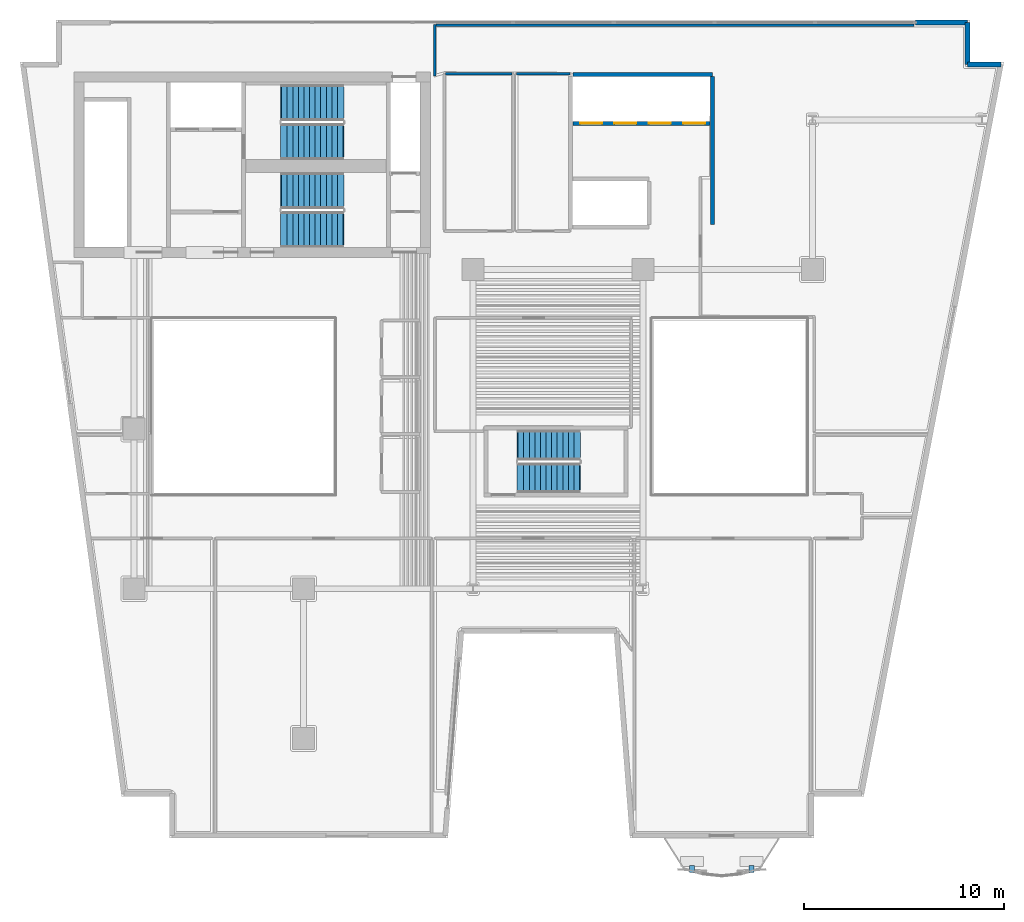
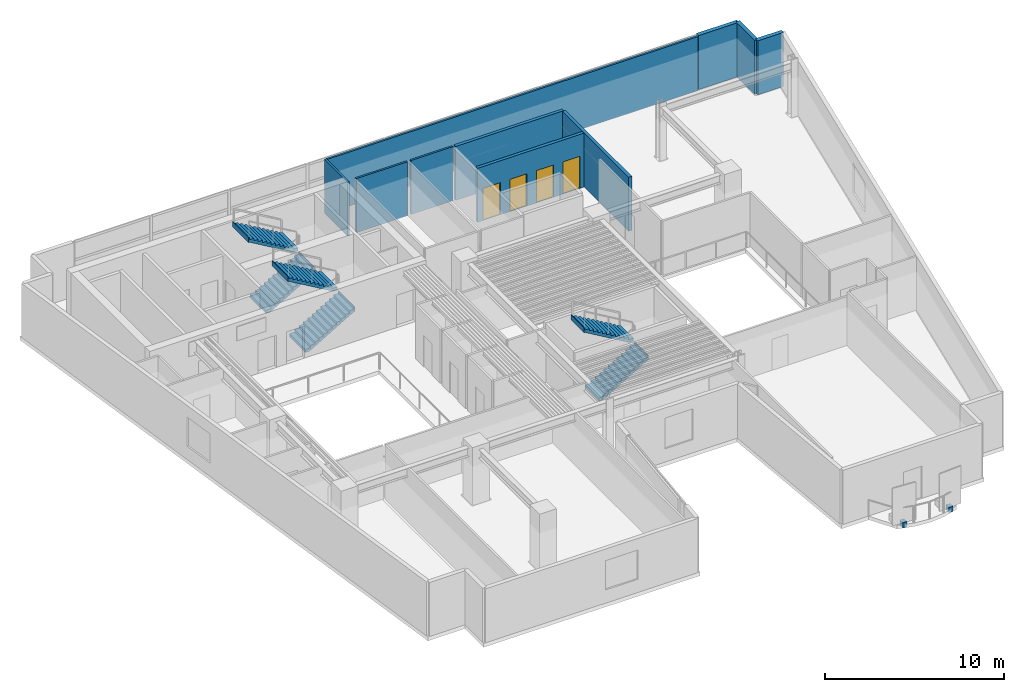
# One storey, part 8 of 13: 10 walls, 6 stair flights, 4 doors, 2 discrete accessories, 4 openings, 3 elements without a shape of their own.
"""IFC4 building model written with IfcOpenShell, lengths in metres."""

from ifc_helpers import new_model, si_unit, direction, frame, frame_2d, origin, origin_2d, place, context, subcontext, project, spatial, polyline, rectangle, outline, extrude, material, layer, layer_set, type_object, element, fill, aggregate, save


model = new_model("IFC4")

# Units and contexts
model_context = context("Model", 3, precision=1e-05, world=origin(), true_north=direction((0.0, 1.0)))
body_context = subcontext(model_context, "Body", "Model", "MODEL_VIEW")
ifc_project = project(units=[si_unit("LENGTHUNIT", "METRE"), si_unit("AREAUNIT", "SQUARE_METRE"), si_unit("VOLUMEUNIT", "CUBIC_METRE"), si_unit("PLANEANGLEUNIT", "RADIAN"), si_unit("MASSUNIT", "GRAM", prefix="KILO")], contexts=[model_context])

# Site, building, storey
site_placement = place(None, origin())
site = spatial("IfcSite", under=ifc_project, at=site_placement, CompositionType="ELEMENT")
building_placement = place(site_placement, origin())
building = spatial("IfcBuilding", under=site, at=building_placement, Name="Caeloran Harvest Quay", CompositionType="ELEMENT")
storey_placement = place(building_placement, frame((0.0, 0.0, 127.199951171875)))
storey = spatial("IfcBuildingStorey", under=building, at=storey_placement, Name="L29", CompositionType="ELEMENT", Elevation=127.199951171875)

# Walls
ifc_material_1 = material(Name="Precast concrete C50/60", Category="concrete")
ifc_layer_1 = layer(ifc_material_1, 0.260009765625, Name="Precast concrete C50/60")
ifc_layer_set_1 = layer_set([ifc_layer_1], Name="Precast concrete C50/60")
wall_type_1 = type_object("IfcWallType", Name="ENV-WALL-EW-260", PredefinedType="STANDARD", material=ifc_layer_set_1)
wall_1_placement = place(storey_placement, frame((47.669921875, 43.3701171875, 0.0), z_axis=(0.0, 0.0, 1.0), x_axis=(1.0, 0.0, 0.0)))
element("IfcWall", 1, at=wall_1_placement, inside=storey, type_object=wall_type_1, Name="L29 Exterior Facade Corner Pier Wall 6B", PredefinedType="STANDARD", context=body_context, shape_type="SweptSolid", body=[
    extrude(rectangle(XDim=2.60009765625, YDim=0.260009765625, at=frame_2d((1.300048828125, 0.0))), origin(), (0.0, 0.0, 1.0), 3.68994140625),
])
wall_2_placement = place(storey_placement, frame((50.27001953125, 43.3701171875, 0.0), z_axis=(0.0, 0.0, 1.0), x_axis=(0.0, -1.0, 0.0)))
element("IfcWall", 2, at=wall_2_placement, inside=storey, type_object=wall_type_1, Name="L29 Exterior Precast Concrete Facade Wall 7", PredefinedType="STANDARD", context=body_context, shape_type="SweptSolid", body=[
    extrude(rectangle(XDim=2.10009765625, YDim=0.260009765625, at=frame_2d((1.050048828125, 0.0))), origin(), (0.0, 0.0, 1.0), 3.68994140625),
])
wall_3_placement = place(storey_placement, frame((50.27001953125, 41.27001953125, 0.0), z_axis=(0.0, 0.0, 1.0), x_axis=(1.0, 0.0, 0.0)))
element("IfcWall", 3, at=wall_3_placement, inside=storey, type_object=wall_type_1, Name="L29 Exterior Precast Concrete Facade Wall 8", PredefinedType="STANDARD", context=body_context, shape_type="SweptSolid", body=[
    extrude(rectangle(XDim=1.671875, YDim=0.260009765625, at=frame_2d((0.8359375, 0.0))), origin(), (0.0, 0.0, 1.0), 3.68994140625),
])
ifc_material_2 = material(Name="Twin-Stud Mineral-Wool Acoustic Gypsum Partition", Category="gypsum")
ifc_layer_2 = layer(ifc_material_2, 0.125, Name="Twin-Stud Mineral-Wool Acoustic Gypsum Partition")
ifc_layer_set_2 = layer_set([ifc_layer_2], Name="Twin-Stud Mineral-Wool Acoustic Gypsum Partition")
wall_type_2 = type_object("IfcWallType", Name="INT-WALL-PW-125", PredefinedType="PARTITIONING", material=ifc_layer_set_2)
wall_4_placement = place(storey_placement, frame((24.117431640625, 40.800048828125, 0.0), z_axis=(0.0, 0.0, 1.0), x_axis=(1.0, 0.0, 0.0)))
element("IfcWall", 4, at=wall_4_placement, inside=storey, type_object=wall_type_2, Name="L29 Bioinformatics Briefing Lounge Partition Wall", PredefinedType="PARTITIONING", context=body_context, shape_type="SweptSolid", body=[
    extrude(rectangle(XDim=3.315185546875, YDim=0.125, at=frame_2d((1.65771484375, 0.0))), origin(), (0.0, 0.0, 1.0), 3.68994140625),
])
wall_5_placement = place(storey_placement, frame((27.659912109375, 40.800048828125, 0.0), z_axis=(0.0, 0.0, 1.0), x_axis=(1.0, 0.0, 0.0)))
element("IfcWall", 5, at=wall_5_placement, inside=storey, type_object=wall_type_2, Name="L29 Seed Imaging Laboratory Partition Wall", PredefinedType="PARTITIONING", context=body_context, shape_type="SweptSolid", body=[
    extrude(rectangle(XDim=2.690185546875, YDim=0.125, at=frame_2d((1.34521484375, 0.0))), origin(), (0.0, 0.0, 1.0), 3.68994140625),
])
wall_6_placement = place(storey_placement, frame((23.580078125, 40.693115234375, 0.0), z_axis=(0.0, 0.0, 1.0), x_axis=(0.0, 1.0, 0.0)))
element("IfcWall", 6, at=wall_6_placement, inside=storey, type_object=wall_type_2, Name="Controlled-Climate Simulation Lab 10 Partition Wall", PredefinedType="PARTITIONING", context=body_context, shape_type="SweptSolid", body=[
    extrude(rectangle(XDim=2.57177734375, YDim=0.125, at=frame_2d((1.285888671875, 0.0))), origin(), (0.0, 0.0, 1.0), 3.68994140625),
])
wall_7_placement = place(storey_placement, frame((23.6474609375, 43.239990234375, 0.0), z_axis=(0.0, 0.0, 1.0), x_axis=(1.0, 0.0, 0.0)))
element("IfcWall", 7, at=wall_7_placement, inside=storey, type_object=wall_type_2, Name="Controlled-Climate Simulation Lab 10 Partition Wall", PredefinedType="PARTITIONING", context=body_context, shape_type="SweptSolid", body=[
    extrude(rectangle(XDim=23.947998046875, YDim=0.125, at=frame_2d((11.97412109375, 0.0))), origin(), (0.0, 0.0, 1.0), 3.68994140625),
])
ifc_material_3 = material(Name="Concrete C50/60", Category="concrete")
ifc_layer_3 = layer(ifc_material_3, 0.199951171875, Name="Concrete C50/60")
ifc_layer_set_3 = layer_set([ifc_layer_3], Name="Concrete C50/60")
wall_type_3 = type_object("IfcWallType", Name="INT-WALL-SW-200", PredefinedType="PARTITIONING", material=ifc_layer_set_3)
wall_8_placement = place(storey_placement, frame((30.5, 40.780029296875, 0.0), z_axis=(0.0, 0.0, 1.0), x_axis=(1.0, 0.0, 0.0)))
element("IfcWall", 8, at=wall_8_placement, inside=storey, type_object=wall_type_3, Name="L29 Bank 2 Lift Shaft North Wall", PredefinedType="PARTITIONING", context=body_context, shape_type="SweptSolid", body=[
    extrude(rectangle(XDim=6.97998046875, YDim=0.199951171875, at=frame_2d((3.489990234375, 0.0))), origin(), (0.0, 0.0, 1.0), 3.68994140625),
])
wall_9_placement = place(storey_placement, frame((37.47998046875, 33.239990234375, 0.0), z_axis=(0.0, 0.0, 1.0), x_axis=(0.0, 1.0, 0.0)))
element("IfcWall", 9, at=wall_9_placement, inside=storey, type_object=wall_type_3, Name="L29 Bank 2 Lift Shaft East Wall", PredefinedType="PARTITIONING", context=body_context, shape_type="SweptSolid", body=[
    extrude(rectangle(XDim=7.419921875, YDim=0.199951171875, at=frame_2d((3.7099609375, 0.0))), origin(), (0.0, 0.0, 1.0), 3.68994140625),
])

# Wall, openings, doors
wall_10_placement = place(storey_placement, frame((30.5, 38.320068359375, 0.0), z_axis=(0.0, 0.0, 1.0), x_axis=(1.0, 0.0, 0.0)))
wall_10 = element("IfcWall", 10, at=wall_10_placement, inside=storey, type_object=wall_type_3, Name="L29 Bank 2 Lift Landing Front Wall", PredefinedType="PARTITIONING", context=body_context, shape_type="SweptSolid", body=[
    extrude(rectangle(XDim=6.860107421875, YDim=0.199951171875, at=frame_2d((3.43017578125, 0.0))), origin(), (0.0, 0.0, 1.0), 3.68994140625),
])
opening_1_placement = place(wall_10_placement, frame((0.360107421875, 0.0, 0.0)))
opening_1 = element("IfcOpeningElement", 11, at=opening_1_placement, cuts=wall_10, Name="Opening LD-01", PredefinedType="OPENING", context=body_context, shape_type="SweptSolid", body=[
    extrude(rectangle(XDim=1.10009765625, YDim=2.199951171875, at=frame_2d((0.550048828125, 1.10009765625))), frame((0.0, 0.10986328125, 0.0), z_axis=(0.0, -1.0, 0.0), x_axis=(1.0, 0.0, 0.0)), (0.0, 0.0, 1.0), 0.219970703125),
])
opening_2_placement = place(wall_10_placement, frame((2.080078125, 0.0, 0.0)))
opening_2 = element("IfcOpeningElement", 12, at=opening_2_placement, cuts=wall_10, Name="Opening LD-01", PredefinedType="OPENING", context=body_context, shape_type="SweptSolid", body=[
    extrude(rectangle(XDim=1.10009765625, YDim=2.199951171875, at=frame_2d((0.550048828125, 1.10009765625))), frame((0.0, 0.10986328125, 0.0), z_axis=(0.0, -1.0, 0.0), x_axis=(1.0, 0.0, 0.0)), (0.0, 0.0, 1.0), 0.219970703125),
])
opening_3_placement = place(wall_10_placement, frame((3.800048828125, 0.0, 0.0)))
opening_3 = element("IfcOpeningElement", 13, at=opening_3_placement, cuts=wall_10, Name="Opening LD-01", PredefinedType="OPENING", context=body_context, shape_type="SweptSolid", body=[
    extrude(rectangle(XDim=1.10009765625, YDim=2.199951171875, at=frame_2d((0.550048828125, 1.10009765625))), frame((0.0, 0.10986328125, 0.0), z_axis=(0.0, -1.0, 0.0), x_axis=(1.0, 0.0, 0.0)), (0.0, 0.0, 1.0), 0.219970703125),
])
opening_4_placement = place(wall_10_placement, frame((5.52001953125, 0.0, 0.0)))
opening_4 = element("IfcOpeningElement", 14, at=opening_4_placement, cuts=wall_10, Name="Opening LD-01", PredefinedType="OPENING", context=body_context, shape_type="SweptSolid", body=[
    extrude(rectangle(XDim=1.10009765625, YDim=2.199951171875, at=frame_2d((0.550048828125, 1.10009765625))), frame((0.0, 0.10986328125, 0.0), z_axis=(0.0, -1.0, 0.0), x_axis=(1.0, 0.0, 0.0)), (0.0, 0.0, 1.0), 0.219970703125),
])
ifc_material_4 = material(Name="Stainless Steel Grade 316", Category="steel")
door_type = type_object("IfcDoorType", Name="INTDOOR-LD-01", OperationType="NOTDEFINED", PredefinedType="DOOR", material=ifc_material_4)
door_1_placement = place(opening_1_placement, origin())
door_1 = element("IfcDoor", 15, at=door_1_placement, inside=storey, type_object=door_type, Name="Lift P2-1 Sliding Landing Door (L29)", OperationType="DOUBLE_DOOR_SLIDING", OverallHeight=2.199951171875, OverallWidth=1.10009765625, PredefinedType="DOOR", context=body_context, shape_type="SweptSolid", body=[
    extrude(rectangle(XDim=1.10009765625, YDim=2.199951171875, at=frame_2d((0.550048828125, 1.10009765625))), frame((0.0, 0.02490234375, 0.0), z_axis=(0.0, -1.0, 0.0), x_axis=(1.0, 0.0, 0.0)), (0.0, 0.0, 1.0), 0.050048828125),
])
fill(opening_1, door_1)
door_2_placement = place(opening_2_placement, origin())
door_2 = element("IfcDoor", 16, at=door_2_placement, inside=storey, type_object=door_type, Name="Lift P2-2 Sliding Landing Door (L29)", OperationType="DOUBLE_DOOR_SLIDING", OverallHeight=2.199951171875, OverallWidth=1.10009765625, PredefinedType="DOOR", context=body_context, shape_type="SweptSolid", body=[
    extrude(rectangle(XDim=1.10009765625, YDim=2.199951171875, at=frame_2d((0.550048828125, 1.10009765625))), frame((0.0, 0.02490234375, 0.0), z_axis=(0.0, -1.0, 0.0), x_axis=(1.0, 0.0, 0.0)), (0.0, 0.0, 1.0), 0.050048828125),
])
fill(opening_2, door_2)
door_3_placement = place(opening_3_placement, origin())
door_3 = element("IfcDoor", 17, at=door_3_placement, inside=storey, type_object=door_type, Name="Lift P2-3 Sliding Landing Door (L29)", OperationType="DOUBLE_DOOR_SLIDING", OverallHeight=2.199951171875, OverallWidth=1.10009765625, PredefinedType="DOOR", context=body_context, shape_type="SweptSolid", body=[
    extrude(rectangle(XDim=1.10009765625, YDim=2.199951171875, at=frame_2d((0.550048828125, 1.10009765625))), frame((0.0, 0.02490234375, 0.0), z_axis=(0.0, -1.0, 0.0), x_axis=(1.0, 0.0, 0.0)), (0.0, 0.0, 1.0), 0.050048828125),
])
fill(opening_3, door_3)
door_4_placement = place(opening_4_placement, origin())
door_4 = element("IfcDoor", 18, at=door_4_placement, inside=storey, type_object=door_type, Name="Lift P2-4 Sliding Landing Door (L29)", OperationType="DOUBLE_DOOR_SLIDING", OverallHeight=2.199951171875, OverallWidth=1.10009765625, PredefinedType="DOOR", context=body_context, shape_type="SweptSolid", body=[
    extrude(rectangle(XDim=1.10009765625, YDim=2.199951171875, at=frame_2d((0.550048828125, 1.10009765625))), frame((0.0, 0.02490234375, 0.0), z_axis=(0.0, -1.0, 0.0), x_axis=(1.0, 0.0, 0.0)), (0.0, 0.0, 1.0), 0.050048828125),
])
fill(opening_4, door_4)

# Stair, stair flights
stair_type_1 = type_object("IfcStairType", Name="STAIR-STC-180", PredefinedType="HALF_TURN_STAIR", material=ifc_material_3)
stair_1_placement = place(storey_placement, origin())
stair_1 = element("IfcStair", 19, at=stair_1_placement, inside=storey, type_object=stair_type_1, Name="L29 Core Pressurized Exit Stair ST-C1", PredefinedType="HALF_TURN_STAIR")
stair_flight_type_1 = type_object("IfcStairFlightType", Name="FLIGHT-STC-180", PredefinedType="STRAIGHT", material=ifc_material_3)
stair_flight_1_placement = place(storey_placement, frame((15.89990234375, 37.39990234375, 0.0), z_axis=(0.0, 0.0, 1.0), x_axis=(1.0, 0.0, 0.0)))
stair_flight_1 = element("IfcStairFlight", 20, at=stair_flight_1_placement, type_object=stair_flight_type_1, Name="ST-C1 flight 1", NumberOfRisers=12, NumberOfTreads=11, PredefinedType="STRAIGHT", RiserHeight=0.164583333, TreadLength=0.28, context=body_context, shape_type="SweptSolid", body=[
    extrude(outline(polyline([(-0.054931640625, -0.044921875), (-0.054931640625, -0.031982421875), (-0.054931640625, -0.018798828125), (-0.054931640625, -0.005615234375), (-0.054931640625, 0.00732421875), (-0.054931640625, 0.0205078125), (-0.054931640625, 0.03369140625), (-0.054931640625, 0.046630859375), (-0.054931640625, 0.059814453125), (-0.054931640625, 0.072998046875), (-0.054931640625, 0.0859375), (-0.054931640625, 0.09912109375), (-0.054931640625, 0.1123046875), (-0.054931640625, 0.125244140625), (-0.054931640625, 0.138427734375), (-0.054931640625, 0.1513671875), (-0.054931640625, 0.16455078125), (0.280029296875, 0.16455078125), (0.280029296875, 0.3291015625), (0.56005859375, 0.3291015625), (0.56005859375, 0.49365234375), (0.840087890625, 0.49365234375), (0.840087890625, 0.658447265625), (1.1201171875, 0.658447265625), (1.1201171875, 0.822998046875), (1.39990234375, 0.822998046875), (1.39990234375, 0.987548828125), (1.679931640625, 0.987548828125), (1.679931640625, 1.152099609375), (1.9599609375, 1.152099609375), (1.9599609375, 1.316650390625), (2.239990234375, 1.316650390625), (2.239990234375, 1.481201171875), (2.52001953125, 1.481201171875), (2.52001953125, 1.645751953125), (2.800048828125, 1.645751953125), (2.800048828125, 1.810302734375), (3.080078125, 1.810302734375), (3.080078125, 1.97509765625), (3.135009765625, 1.97509765625), (3.135009765625, 1.953857421875), (3.135009765625, 1.9326171875), (3.135009765625, 1.91162109375), (3.135009765625, 1.890380859375), (3.135009765625, 1.869140625), (3.135009765625, 1.84814453125), (3.135009765625, 1.826904296875), (3.135009765625, 1.8056640625), (3.135009765625, 1.78466796875), (3.135009765625, 1.763427734375), (3.135009765625, 1.7421875), (3.135009765625, 1.72119140625), (3.135009765625, 1.699951171875), (3.135009765625, 1.678955078125), (3.135009765625, 1.65771484375), (3.135009765625, 1.636474609375), (3.080078125, 1.636474609375), (0.21923828125, -0.044921875), (-0.054931640625, -0.044921875)])), frame((0.0, 0.89990234375, 0.0), z_axis=(0.0, -1.0, 0.0), x_axis=(1.0, 0.0, 0.0)), (0.0, 0.0, 1.0), 1.800048828125),
])
stair_flight_2_placement = place(storey_placement, frame((18.97998046875, 39.35009765625, 1.97509765625), z_axis=(0.0, 0.0, 1.0), x_axis=(-1.0, 0.0, 0.0)))
stair_flight_2 = element("IfcStairFlight", 21, at=stair_flight_2_placement, type_object=stair_flight_type_1, Name="ST-C1 flight 2", NumberOfRisers=12, NumberOfTreads=11, PredefinedType="STRAIGHT", RiserHeight=0.164583333, TreadLength=0.28, context=body_context, shape_type="SweptSolid", body=[
    extrude(outline(polyline([(-0.054931640625, -0.044921875), (-0.054931640625, -0.031982421875), (-0.054931640625, -0.018798828125), (-0.054931640625, -0.005615234375), (-0.054931640625, 0.00732421875), (-0.054931640625, 0.0205078125), (-0.054931640625, 0.03369140625), (-0.054931640625, 0.046630859375), (-0.054931640625, 0.059814453125), (-0.054931640625, 0.072998046875), (-0.054931640625, 0.0859375), (-0.054931640625, 0.09912109375), (-0.054931640625, 0.1123046875), (-0.054931640625, 0.125244140625), (-0.054931640625, 0.138427734375), (-0.054931640625, 0.1513671875), (-0.054931640625, 0.16455078125), (0.280029296875, 0.16455078125), (0.280029296875, 0.3291015625), (0.56005859375, 0.3291015625), (0.56005859375, 0.49365234375), (0.840087890625, 0.49365234375), (0.840087890625, 0.658447265625), (1.1201171875, 0.658447265625), (1.1201171875, 0.822998046875), (1.39990234375, 0.822998046875), (1.39990234375, 0.987548828125), (1.679931640625, 0.987548828125), (1.679931640625, 1.152099609375), (1.9599609375, 1.152099609375), (1.9599609375, 1.316650390625), (2.239990234375, 1.316650390625), (2.239990234375, 1.481201171875), (2.52001953125, 1.481201171875), (2.52001953125, 1.645751953125), (2.800048828125, 1.645751953125), (2.800048828125, 1.810302734375), (3.080078125, 1.810302734375), (3.080078125, 1.97509765625), (3.135009765625, 1.97509765625), (3.135009765625, 1.953857421875), (3.135009765625, 1.9326171875), (3.135009765625, 1.91162109375), (3.135009765625, 1.890380859375), (3.135009765625, 1.869140625), (3.135009765625, 1.84814453125), (3.135009765625, 1.826904296875), (3.135009765625, 1.8056640625), (3.135009765625, 1.78466796875), (3.135009765625, 1.763427734375), (3.135009765625, 1.7421875), (3.135009765625, 1.72119140625), (3.135009765625, 1.699951171875), (3.135009765625, 1.678955078125), (3.135009765625, 1.65771484375), (3.135009765625, 1.636474609375), (3.080078125, 1.636474609375), (0.21923828125, -0.044921875), (-0.054931640625, -0.044921875)])), frame((0.0, 0.89990234375, 0.0), z_axis=(0.0, -1.0, 0.0), x_axis=(1.0, 0.0, 0.0)), (0.0, 0.0, 1.0), 1.800048828125),
])
aggregate(stair_1, [stair_flight_1, stair_flight_2])

stair_2_placement = place(storey_placement, origin())
stair_2 = element("IfcStair", 22, at=stair_2_placement, inside=storey, type_object=stair_type_1, Name="L29 Core Pressurized Exit Stair ST-C2", PredefinedType="HALF_TURN_STAIR")
stair_flight_3_placement = place(storey_placement, frame((15.89990234375, 33.0, 0.0), z_axis=(0.0, 0.0, 1.0), x_axis=(1.0, 0.0, 0.0)))
stair_flight_3 = element("IfcStairFlight", 23, at=stair_flight_3_placement, type_object=stair_flight_type_1, Name="ST-C2 flight 1", NumberOfRisers=12, NumberOfTreads=11, PredefinedType="STRAIGHT", RiserHeight=0.164583333, TreadLength=0.28, context=body_context, shape_type="SweptSolid", body=[
    extrude(outline(polyline([(-0.054931640625, -0.044921875), (-0.054931640625, -0.031982421875), (-0.054931640625, -0.018798828125), (-0.054931640625, -0.005615234375), (-0.054931640625, 0.00732421875), (-0.054931640625, 0.0205078125), (-0.054931640625, 0.03369140625), (-0.054931640625, 0.046630859375), (-0.054931640625, 0.059814453125), (-0.054931640625, 0.072998046875), (-0.054931640625, 0.0859375), (-0.054931640625, 0.09912109375), (-0.054931640625, 0.1123046875), (-0.054931640625, 0.125244140625), (-0.054931640625, 0.138427734375), (-0.054931640625, 0.1513671875), (-0.054931640625, 0.16455078125), (0.280029296875, 0.16455078125), (0.280029296875, 0.3291015625), (0.56005859375, 0.3291015625), (0.56005859375, 0.49365234375), (0.840087890625, 0.49365234375), (0.840087890625, 0.658447265625), (1.1201171875, 0.658447265625), (1.1201171875, 0.822998046875), (1.39990234375, 0.822998046875), (1.39990234375, 0.987548828125), (1.679931640625, 0.987548828125), (1.679931640625, 1.152099609375), (1.9599609375, 1.152099609375), (1.9599609375, 1.316650390625), (2.239990234375, 1.316650390625), (2.239990234375, 1.481201171875), (2.52001953125, 1.481201171875), (2.52001953125, 1.645751953125), (2.800048828125, 1.645751953125), (2.800048828125, 1.810302734375), (3.080078125, 1.810302734375), (3.080078125, 1.97509765625), (3.135009765625, 1.97509765625), (3.135009765625, 1.953857421875), (3.135009765625, 1.9326171875), (3.135009765625, 1.91162109375), (3.135009765625, 1.890380859375), (3.135009765625, 1.869140625), (3.135009765625, 1.84814453125), (3.135009765625, 1.826904296875), (3.135009765625, 1.8056640625), (3.135009765625, 1.78466796875), (3.135009765625, 1.763427734375), (3.135009765625, 1.7421875), (3.135009765625, 1.72119140625), (3.135009765625, 1.699951171875), (3.135009765625, 1.678955078125), (3.135009765625, 1.65771484375), (3.135009765625, 1.636474609375), (3.080078125, 1.636474609375), (0.21923828125, -0.044921875), (-0.054931640625, -0.044921875)])), frame((0.0, 0.89990234375, 0.0), z_axis=(0.0, -1.0, 0.0), x_axis=(1.0, 0.0, 0.0)), (0.0, 0.0, 1.0), 1.800048828125),
])
stair_flight_4_placement = place(storey_placement, frame((18.97998046875, 34.949951171875, 1.97509765625), z_axis=(0.0, 0.0, 1.0), x_axis=(-1.0, 0.0, 0.0)))
stair_flight_4 = element("IfcStairFlight", 24, at=stair_flight_4_placement, type_object=stair_flight_type_1, Name="ST-C2 flight 2", NumberOfRisers=12, NumberOfTreads=11, PredefinedType="STRAIGHT", RiserHeight=0.164583333, TreadLength=0.28, context=body_context, shape_type="SweptSolid", body=[
    extrude(outline(polyline([(-0.054931640625, -0.044921875), (-0.054931640625, -0.031982421875), (-0.054931640625, -0.018798828125), (-0.054931640625, -0.005615234375), (-0.054931640625, 0.00732421875), (-0.054931640625, 0.0205078125), (-0.054931640625, 0.03369140625), (-0.054931640625, 0.046630859375), (-0.054931640625, 0.059814453125), (-0.054931640625, 0.072998046875), (-0.054931640625, 0.0859375), (-0.054931640625, 0.09912109375), (-0.054931640625, 0.1123046875), (-0.054931640625, 0.125244140625), (-0.054931640625, 0.138427734375), (-0.054931640625, 0.1513671875), (-0.054931640625, 0.16455078125), (0.280029296875, 0.16455078125), (0.280029296875, 0.3291015625), (0.56005859375, 0.3291015625), (0.56005859375, 0.49365234375), (0.840087890625, 0.49365234375), (0.840087890625, 0.658447265625), (1.1201171875, 0.658447265625), (1.1201171875, 0.822998046875), (1.39990234375, 0.822998046875), (1.39990234375, 0.987548828125), (1.679931640625, 0.987548828125), (1.679931640625, 1.152099609375), (1.9599609375, 1.152099609375), (1.9599609375, 1.316650390625), (2.239990234375, 1.316650390625), (2.239990234375, 1.481201171875), (2.52001953125, 1.481201171875), (2.52001953125, 1.645751953125), (2.800048828125, 1.645751953125), (2.800048828125, 1.810302734375), (3.080078125, 1.810302734375), (3.080078125, 1.97509765625), (3.135009765625, 1.97509765625), (3.135009765625, 1.953857421875), (3.135009765625, 1.9326171875), (3.135009765625, 1.91162109375), (3.135009765625, 1.890380859375), (3.135009765625, 1.869140625), (3.135009765625, 1.84814453125), (3.135009765625, 1.826904296875), (3.135009765625, 1.8056640625), (3.135009765625, 1.78466796875), (3.135009765625, 1.763427734375), (3.135009765625, 1.7421875), (3.135009765625, 1.72119140625), (3.135009765625, 1.699951171875), (3.135009765625, 1.678955078125), (3.135009765625, 1.65771484375), (3.135009765625, 1.636474609375), (3.080078125, 1.636474609375), (0.21923828125, -0.044921875), (-0.054931640625, -0.044921875)])), frame((0.0, 0.89990234375, 0.0), z_axis=(0.0, -1.0, 0.0), x_axis=(1.0, 0.0, 0.0)), (0.0, 0.0, 1.0), 1.800048828125),
])
aggregate(stair_2, [stair_flight_3, stair_flight_4])

stair_type_2 = type_object("IfcStairType", Name="STAIR-STW-150", PredefinedType="HALF_TURN_STAIR", material=ifc_material_3)
stair_3_placement = place(storey_placement, origin())
stair_3 = element("IfcStair", 25, at=stair_3_placement, inside=storey, type_object=stair_type_2, Name="L29 East Wing Protected Exit Stair ST-W1", PredefinedType="HALF_TURN_STAIR")
stair_flight_type_2 = type_object("IfcStairFlightType", Name="FLIGHT-STW-150", PredefinedType="STRAIGHT", material=ifc_material_3)
stair_flight_5_placement = place(storey_placement, frame((27.75, 20.550048828125, 0.0), z_axis=(0.0, 0.0, 1.0), x_axis=(1.0, 0.0, 0.0)))
stair_flight_5 = element("IfcStairFlight", 26, at=stair_flight_5_placement, type_object=stair_flight_type_2, Name="ST-W1 flight 1", NumberOfRisers=12, NumberOfTreads=11, PredefinedType="STRAIGHT", RiserHeight=0.164583333, TreadLength=0.28, context=body_context, shape_type="SweptSolid", body=[
    extrude(outline(polyline([(-0.054931640625, -0.044921875), (-0.054931640625, -0.031982421875), (-0.054931640625, -0.018798828125), (-0.054931640625, -0.005615234375), (-0.054931640625, 0.00732421875), (-0.054931640625, 0.0205078125), (-0.054931640625, 0.03369140625), (-0.054931640625, 0.046630859375), (-0.054931640625, 0.059814453125), (-0.054931640625, 0.072998046875), (-0.054931640625, 0.0859375), (-0.054931640625, 0.09912109375), (-0.054931640625, 0.1123046875), (-0.054931640625, 0.125244140625), (-0.054931640625, 0.138427734375), (-0.054931640625, 0.1513671875), (-0.054931640625, 0.16455078125), (0.280029296875, 0.16455078125), (0.280029296875, 0.3291015625), (0.56005859375, 0.3291015625), (0.56005859375, 0.49365234375), (0.840087890625, 0.49365234375), (0.840087890625, 0.658447265625), (1.1201171875, 0.658447265625), (1.1201171875, 0.822998046875), (1.39990234375, 0.822998046875), (1.39990234375, 0.987548828125), (1.679931640625, 0.987548828125), (1.679931640625, 1.152099609375), (1.9599609375, 1.152099609375), (1.9599609375, 1.316650390625), (2.239990234375, 1.316650390625), (2.239990234375, 1.481201171875), (2.52001953125, 1.481201171875), (2.52001953125, 1.645751953125), (2.800048828125, 1.645751953125), (2.800048828125, 1.810302734375), (3.080078125, 1.810302734375), (3.080078125, 1.97509765625), (3.135009765625, 1.97509765625), (3.135009765625, 1.953857421875), (3.135009765625, 1.9326171875), (3.135009765625, 1.91162109375), (3.135009765625, 1.890380859375), (3.135009765625, 1.869140625), (3.135009765625, 1.84814453125), (3.135009765625, 1.826904296875), (3.135009765625, 1.8056640625), (3.135009765625, 1.78466796875), (3.135009765625, 1.763427734375), (3.135009765625, 1.7421875), (3.135009765625, 1.72119140625), (3.135009765625, 1.699951171875), (3.135009765625, 1.678955078125), (3.135009765625, 1.65771484375), (3.135009765625, 1.636474609375), (3.080078125, 1.636474609375), (0.21923828125, -0.044921875), (-0.054931640625, -0.044921875)])), frame((0.0, 0.75, 0.0), z_axis=(0.0, -1.0, 0.0), x_axis=(1.0, 0.0, 0.0)), (0.0, 0.0, 1.0), 1.5),
])
stair_flight_6_placement = place(storey_placement, frame((30.830078125, 22.199951171875, 1.97509765625), z_axis=(0.0, 0.0, 1.0), x_axis=(-1.0, 0.0, 0.0)))
stair_flight_6 = element("IfcStairFlight", 27, at=stair_flight_6_placement, type_object=stair_flight_type_2, Name="ST-W1 flight 2", NumberOfRisers=12, NumberOfTreads=11, PredefinedType="STRAIGHT", RiserHeight=0.164583333, TreadLength=0.28, context=body_context, shape_type="SweptSolid", body=[
    extrude(outline(polyline([(-0.054931640625, -0.044921875), (-0.054931640625, -0.031982421875), (-0.054931640625, -0.018798828125), (-0.054931640625, -0.005615234375), (-0.054931640625, 0.00732421875), (-0.054931640625, 0.0205078125), (-0.054931640625, 0.03369140625), (-0.054931640625, 0.046630859375), (-0.054931640625, 0.059814453125), (-0.054931640625, 0.072998046875), (-0.054931640625, 0.0859375), (-0.054931640625, 0.09912109375), (-0.054931640625, 0.1123046875), (-0.054931640625, 0.125244140625), (-0.054931640625, 0.138427734375), (-0.054931640625, 0.1513671875), (-0.054931640625, 0.16455078125), (0.280029296875, 0.16455078125), (0.280029296875, 0.3291015625), (0.56005859375, 0.3291015625), (0.56005859375, 0.49365234375), (0.840087890625, 0.49365234375), (0.840087890625, 0.658447265625), (1.1201171875, 0.658447265625), (1.1201171875, 0.822998046875), (1.39990234375, 0.822998046875), (1.39990234375, 0.987548828125), (1.679931640625, 0.987548828125), (1.679931640625, 1.152099609375), (1.9599609375, 1.152099609375), (1.9599609375, 1.316650390625), (2.239990234375, 1.316650390625), (2.239990234375, 1.481201171875), (2.52001953125, 1.481201171875), (2.52001953125, 1.645751953125), (2.800048828125, 1.645751953125), (2.800048828125, 1.810302734375), (3.080078125, 1.810302734375), (3.080078125, 1.97509765625), (3.135009765625, 1.97509765625), (3.135009765625, 1.953857421875), (3.135009765625, 1.9326171875), (3.135009765625, 1.91162109375), (3.135009765625, 1.890380859375), (3.135009765625, 1.869140625), (3.135009765625, 1.84814453125), (3.135009765625, 1.826904296875), (3.135009765625, 1.8056640625), (3.135009765625, 1.78466796875), (3.135009765625, 1.763427734375), (3.135009765625, 1.7421875), (3.135009765625, 1.72119140625), (3.135009765625, 1.699951171875), (3.135009765625, 1.678955078125), (3.135009765625, 1.65771484375), (3.135009765625, 1.636474609375), (3.080078125, 1.636474609375), (0.21923828125, -0.044921875), (-0.054931640625, -0.044921875)])), frame((0.0, 0.75, 0.0), z_axis=(0.0, -1.0, 0.0), x_axis=(1.0, 0.0, 0.0)), (0.0, 0.0, 1.0), 1.5),
])
aggregate(stair_3, [stair_flight_5, stair_flight_6])

# Discrete accessories
ifc_material_5 = material(Name="Stainless Steel Grade 316L", Category="steel")
discrete_accessory_type = type_object("IfcDiscreteAccessoryType", Name="BRACKET-SCREEN-SS", PredefinedType="BRACKET", material=ifc_material_5)
for number, where, z_axis, x_axis, name in (
    (28, (39.44921875, 0.95361328125, -0.22021484375), (0.0, 0.0, 1.0), (1.0, 0.0, 0.0), "L29 Balcony Screen Support Bracket 1"),
    (29, (36.4658203125, 0.95361328125, -0.22021484375), (0.0, 0.0, 1.0), (1.0, 0.0, 0.0), "L29 Balcony Screen Support Bracket 2"),
):
    element("IfcDiscreteAccessory", number, at=place(storey_placement, frame(where, z_axis=z_axis, x_axis=x_axis)), inside=storey, type_object=discrete_accessory_type, Name=name, PredefinedType="BRACKET", context=body_context, shape_type="SweptSolid", body=[
        extrude(rectangle(XDim=0.260009765625, YDim=0.340087890625, at=origin_2d()), origin(), (0.0, 0.0, 1.0), 0.360107421875),
    ])

save(model, "model.ifc")
